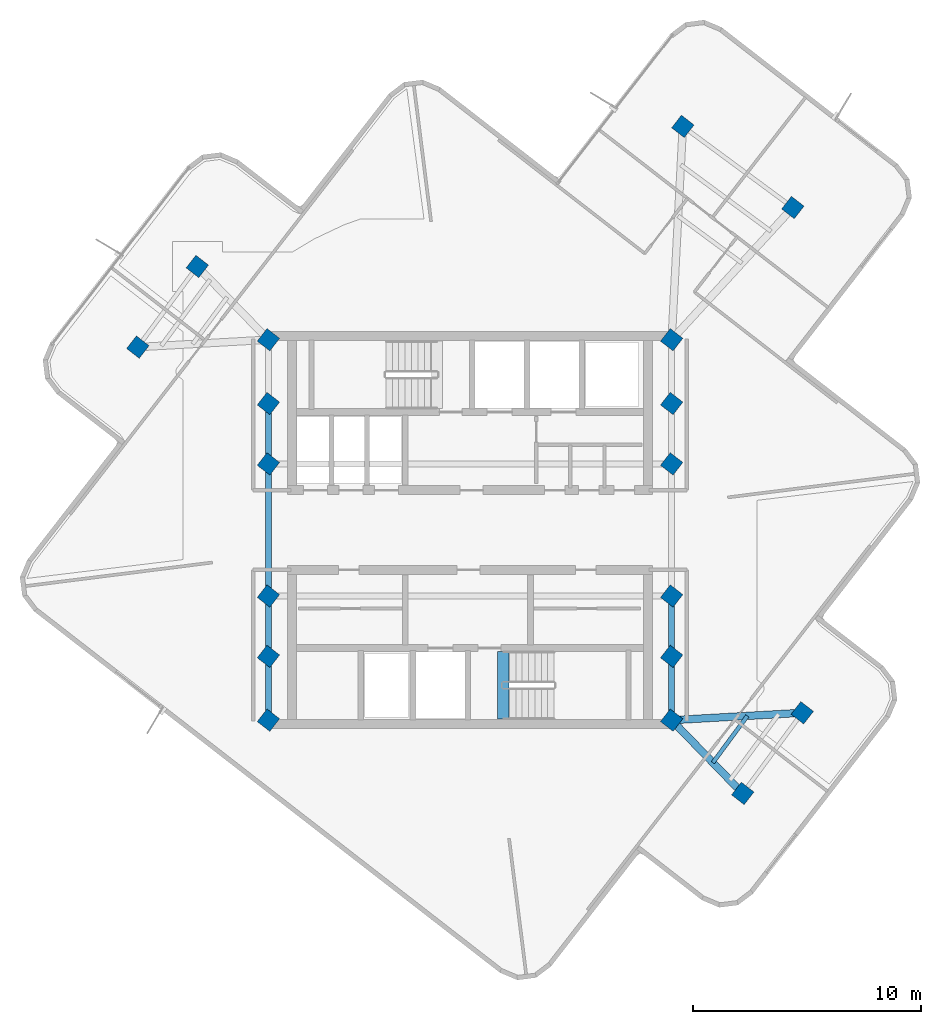
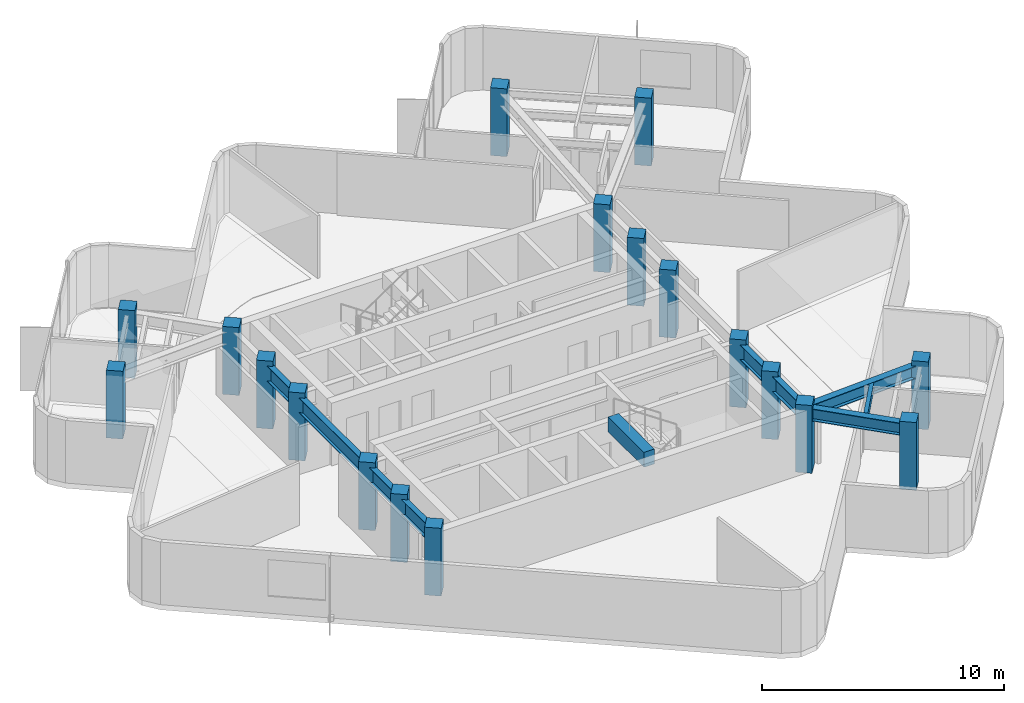
# One storey, part 1 of 10: 18 columns, 10 beams.
"""IFC4 building model written with IfcOpenShell, lengths in metres."""

from ifc_helpers import new_model, si_unit, direction, frame, origin, origin_2d, place, context, subcontext, project, spatial, rectangle, i_section, extrude, material, material_profile, profile_set, type_object, element, save


model = new_model("IFC4")

# Units and contexts
model_context = context("Model", 3, precision=1e-05, world=origin(), true_north=direction((0.0, 1.0)))
body_context = subcontext(model_context, "Body", "Model", "MODEL_VIEW")
ifc_project = project(units=[si_unit("LENGTHUNIT", "METRE"), si_unit("AREAUNIT", "SQUARE_METRE"), si_unit("VOLUMEUNIT", "CUBIC_METRE"), si_unit("PLANEANGLEUNIT", "RADIAN"), si_unit("MASSUNIT", "GRAM", prefix="KILO")], contexts=[model_context])

# Site, building, storey
site_placement = place(None, origin())
site = spatial("IfcSite", under=ifc_project, at=site_placement, CompositionType="ELEMENT")
building_placement = place(site_placement, origin())
building = spatial("IfcBuilding", under=site, at=building_placement, Name="Solmarez Civic Tower", CompositionType="ELEMENT")
storey_placement = place(building_placement, frame((0.0, 0.0, 261.179931640625)))
storey = spatial("IfcBuildingStorey", under=building, at=storey_placement, Name="L70", CompositionType="ELEMENT", Elevation=261.179931640625)

# Columns
ifc_material_1 = material(Name="Concrete C50/60", Category="concrete")
ifc_material_profile_1 = material_profile(ifc_material_1, rectangle(XDim=0.699951171875, YDim=0.699951171875, at=origin_2d()), Name="RC700X700")
ifc_profile_set_1 = profile_set([ifc_material_profile_1], Name="Concrete C50/60")
column_type = type_object("IfcColumnType", Name="COL-RC700", PredefinedType="COLUMN", material=ifc_profile_set_1)
for number, where, z_axis, x_axis, name in (
    (1, (-8.85009765625, -5.550048828125, 0.0), (0.0, 0.0, 1.0), (0.612907053653, 0.790155012376, 0.0), "L70 Structural Column HC1"),
    (2, (-8.85009765625, -2.89990234375, 0.0), (0.0, 0.0, 1.0), (0.612907053653, 0.790155012376, 0.0), "L70 Structural Column HC2"),
    (3, (-8.85009765625, 2.89990234375, 0.0), (0.0, 0.0, 1.0), (0.612907053653, 0.790155012376, 0.0), "L70 Structural Column HC3"),
    (4, (-8.85009765625, 5.550048828125, 0.0), (0.0, 0.0, 1.0), (0.612907053653, 0.790155012376, 0.0), "L70 Structural Column HC4"),
    (5, (8.85009765625, -5.550048828125, 0.0), (0.0, 0.0, 1.0), (0.612907053653, 0.790155012376, 0.0), "L70 Structural Column HC5"),
    (6, (8.85009765625, -2.89990234375, 0.0), (0.0, 0.0, 1.0), (0.612907053653, 0.790155012376, 0.0), "L70 Structural Column HC6"),
    (7, (8.85009765625, 2.89990234375, 0.0), (0.0, 0.0, 1.0), (0.612907053653, 0.790155012376, 0.0), "L70 Structural Column HC7"),
    (8, (8.85009765625, 5.550048828125, 0.0), (0.0, 0.0, 1.0), (0.612907053653, 0.790155012376, 0.0), "L70 Structural Column HC8"),
    (9, (-8.85009765625, 8.35009765625, 0.0), (0.0, 0.0, 1.0), (0.612907053653, 0.790155012376, 0.0), "L70 Structural Column HC9"),
    (10, (8.85009765625, -8.35009765625, 0.0), (0.0, 0.0, 1.0), (0.612907053653, 0.790155012376, 0.0), "L70 Structural Column HC10"),
    (11, (8.85009765625, 8.35009765625, 0.0), (0.0, 0.0, 1.0), (0.612907053653, 0.790155012376, 0.0), "L70 Structural Column HC11"),
    (12, (-8.85009765625, -8.35009765625, 0.0), (0.0, 0.0, 1.0), (0.612907053653, 0.790155012376, 0.0), "L70 Structural Column HC12"),
    (13, (14.1689453125, 14.152099609375, 0.0), (0.0, 0.0, 1.0), (0.612907053653, 0.790155012376, 0.0), "L70 Structural Column EA11"),
    (14, (9.341064453125, 17.714111328125, 0.0), (0.0, 0.0, 1.0), (0.612907053653, 0.790155012376, 0.0), "L70 Structural Column EA12"),
    (15, (-11.970947265625, 11.56591796875, 0.0), (0.0, 0.0, 1.0), (0.612907053653, 0.790155012376, 0.0), "L70 Structural Column NA11"),
    (16, (-14.5830078125, 8.02587890625, 0.0), (0.0, 0.0, 1.0), (0.612907053653, 0.790155012376, 0.0), "L70 Structural Column NA12"),
    (17, (11.970947265625, -11.56591796875, 0.0), (0.0, 0.0, 1.0), (0.612907053653, 0.790155012376, 0.0), "L70 Structural Column SA11"),
    (18, (14.5830078125, -8.02587890625, 0.0), (0.0, 0.0, 1.0), (0.612907053653, 0.790155012376, 0.0), "L70 Structural Column SA12"),
):
    element("IfcColumn", number, at=place(storey_placement, frame(where, z_axis=z_axis, x_axis=x_axis)), inside=storey, type_object=column_type, Name=name, PredefinedType="COLUMN", context=body_context, shape_type="SweptSolid", body=[
        extrude(rectangle(XDim=0.699951171875, YDim=0.699951171875, at=origin_2d()), origin(), (0.0, 0.0, 1.0), 3.420166015625),
    ])

# Beams
ifc_material_2 = material(Name="Steel S355", Category="steel")
ifc_material_profile_2 = material_profile(ifc_material_2, i_section(OverallWidth=0.178955078125, OverallDepth=0.409912109375, WebThickness=0.0087890625, FlangeThickness=0.014404296875, at=origin_2d()), Name="W16X45")
ifc_profile_set_2 = profile_set([ifc_material_profile_2], Name="Steel S355")
beam_type_1 = type_object("IfcBeamType", Name="BM-JS-W16X45", PredefinedType="JOIST", material=ifc_profile_set_2)
beam_1_placement = place(storey_placement, frame((10.659912109375, -10.215087890625, 2.955078125), z_axis=(0.593812477683, 0.804603468392, 0.0), x_axis=(-0.804603468392, 0.593812477683, 0.0)))
element("IfcBeam", 19, at=beam_1_placement, inside=storey, type_object=beam_type_1, Name="L70 Secondary Floor Joist JS-L70-SA-M11", PredefinedType="JOIST", context=body_context, shape_type="SweptSolid", body=[
    extrude(i_section(OverallWidth=0.178955078125, OverallDepth=0.409912109375, WebThickness=0.0087890625, FlangeThickness=0.014404296875, at=origin_2d()), origin(), (0.0, 0.0, 1.0), 2.551513671875),
])
ifc_material_profile_3 = material_profile(ifc_material_1, rectangle(XDim=0.5, YDim=0.75, at=origin_2d()), Name="RC500X750")
ifc_profile_set_3 = profile_set([ifc_material_profile_3], Name="Concrete C50/60")
beam_type_2 = type_object("IfcBeamType", Name="BM-PR-RC500X750", PredefinedType="BEAM", material=ifc_profile_set_3)
beam_2_placement = place(storey_placement, frame((1.449951171875, -8.300048828125, 3.052978515625), z_axis=(0.0, 1.0, 0.0), x_axis=(-1.0, 0.0, 0.0)))
element("IfcBeam", 20, at=beam_2_placement, inside=storey, type_object=beam_type_2, Name="L70 South Stair Threshold Beam", PredefinedType="BEAM", context=body_context, shape_type="SweptSolid", body=[
    extrude(rectangle(XDim=0.5, YDim=0.75, at=origin_2d()), origin(), (0.0, 0.0, 1.0), 2.9599609375),
])
ifc_material_profile_4 = material_profile(ifc_material_2, i_section(OverallWidth=0.327880859375, OverallDepth=0.6220703125, WebThickness=0.015380859375, FlangeThickness=0.0244140625, at=origin_2d()), Name="W24X131")
ifc_profile_set_4 = profile_set([ifc_material_profile_4], Name="Steel S355")
beam_type_3 = type_object("IfcBeamType", Name="BM-PR-W24X131", PredefinedType="BEAM", material=ifc_profile_set_4)
beam_3_placement = place(storey_placement, frame((8.85009765625, -8.35009765625, 2.84912109375), z_axis=(0.696430820305, -0.717623935309, 0.0), x_axis=(0.717623935309, 0.696430820305, 0.0)))
element("IfcBeam", 21, at=beam_3_placement, inside=storey, type_object=beam_type_3, Name="L70 Primary Floor Beam BM-L70-SA-R1A", PredefinedType="BEAM", context=body_context, shape_type="SweptSolid", body=[
    extrude(i_section(OverallWidth=0.327880859375, OverallDepth=0.6220703125, WebThickness=0.015380859375, FlangeThickness=0.0244140625, at=origin_2d()), origin(), (0.0, 0.0, 1.0), 4.481201171875),
])
beam_4_placement = place(storey_placement, frame((8.85009765625, -8.35009765625, 2.84912109375), z_axis=(0.998404650863, 0.056463732917, 0.0), x_axis=(-0.056463732917, 0.998404650863, 0.0)))
element("IfcBeam", 22, at=beam_4_placement, inside=storey, type_object=beam_type_3, Name="L70 Primary Floor Beam BM-L70-SA-R1B", PredefinedType="BEAM", context=body_context, shape_type="SweptSolid", body=[
    extrude(i_section(OverallWidth=0.327880859375, OverallDepth=0.6220703125, WebThickness=0.015380859375, FlangeThickness=0.0244140625, at=origin_2d()), origin(), (0.0, 0.0, 1.0), 5.7421875),
])
ifc_material_profile_5 = material_profile(ifc_material_2, i_section(OverallWidth=0.26708984375, OverallDepth=0.761962890625, WebThickness=0.014404296875, FlangeThickness=0.021484375, at=origin_2d()), Name="W30X116")
ifc_profile_set_5 = profile_set([ifc_material_profile_5], Name="Steel S355")
beam_type_4 = type_object("IfcBeamType", Name="BM-PR-W30X116", PredefinedType="BEAM", material=ifc_profile_set_5)
beam_5_placement = place(storey_placement, frame((-8.85009765625, -8.35009765625, 2.779052734375), z_axis=(0.0, 1.0, 0.0), x_axis=(-1.0, 0.0, 0.0)))
element("IfcBeam", 23, at=beam_5_placement, inside=storey, type_object=beam_type_4, Name="L70 Primary Floor Beam BM-L70-HC12-HC1", PredefinedType="BEAM", context=body_context, shape_type="SweptSolid", body=[
    extrude(i_section(OverallWidth=0.26708984375, OverallDepth=0.761962890625, WebThickness=0.014404296875, FlangeThickness=0.021484375, at=origin_2d()), origin(), (0.0, 0.0, 1.0), 2.800048828125),
])
beam_6_placement = place(storey_placement, frame((-8.85009765625, -5.550048828125, 2.779052734375), z_axis=(0.0, 1.0, 0.0), x_axis=(-1.0, 0.0, 0.0)))
element("IfcBeam", 24, at=beam_6_placement, inside=storey, type_object=beam_type_4, Name="L70 Primary Floor Beam BM-L70-HC1-HC2", PredefinedType="BEAM", context=body_context, shape_type="SweptSolid", body=[
    extrude(i_section(OverallWidth=0.26708984375, OverallDepth=0.761962890625, WebThickness=0.014404296875, FlangeThickness=0.021484375, at=origin_2d()), origin(), (0.0, 0.0, 1.0), 2.650146484375),
])
beam_7_placement = place(storey_placement, frame((-8.85009765625, -2.89990234375, 2.779052734375), z_axis=(0.0, 1.0, 0.0), x_axis=(-1.0, 0.0, 0.0)))
element("IfcBeam", 25, at=beam_7_placement, inside=storey, type_object=beam_type_4, Name="L70 Primary Floor Beam BM-L70-HC2-HC3", PredefinedType="BEAM", context=body_context, shape_type="SweptSolid", body=[
    extrude(i_section(OverallWidth=0.26708984375, OverallDepth=0.761962890625, WebThickness=0.014404296875, FlangeThickness=0.021484375, at=origin_2d()), origin(), (0.0, 0.0, 1.0), 5.7998046875),
])
beam_8_placement = place(storey_placement, frame((-8.85009765625, 2.89990234375, 2.779052734375), z_axis=(0.0, 1.0, 0.0), x_axis=(-1.0, 0.0, 0.0)))
element("IfcBeam", 26, at=beam_8_placement, inside=storey, type_object=beam_type_4, Name="L70 Primary Floor Beam BM-L70-HC3-HC4", PredefinedType="BEAM", context=body_context, shape_type="SweptSolid", body=[
    extrude(i_section(OverallWidth=0.26708984375, OverallDepth=0.761962890625, WebThickness=0.014404296875, FlangeThickness=0.021484375, at=origin_2d()), origin(), (0.0, 0.0, 1.0), 2.650146484375),
])
beam_9_placement = place(storey_placement, frame((8.85009765625, -8.35009765625, 2.779052734375), z_axis=(0.0, 1.0, 0.0), x_axis=(-1.0, 0.0, 0.0)))
element("IfcBeam", 27, at=beam_9_placement, inside=storey, type_object=beam_type_4, Name="L70 Primary Floor Beam BM-L70-HC10-HC5", PredefinedType="BEAM", context=body_context, shape_type="SweptSolid", body=[
    extrude(i_section(OverallWidth=0.26708984375, OverallDepth=0.761962890625, WebThickness=0.014404296875, FlangeThickness=0.021484375, at=origin_2d()), origin(), (0.0, 0.0, 1.0), 2.800048828125),
])
beam_10_placement = place(storey_placement, frame((8.85009765625, -5.550048828125, 2.779052734375), z_axis=(0.0, 1.0, 0.0), x_axis=(-1.0, 0.0, 0.0)))
element("IfcBeam", 28, at=beam_10_placement, inside=storey, type_object=beam_type_4, Name="L70 Primary Floor Beam BM-L70-HC5-HC6", PredefinedType="BEAM", context=body_context, shape_type="SweptSolid", body=[
    extrude(i_section(OverallWidth=0.26708984375, OverallDepth=0.761962890625, WebThickness=0.014404296875, FlangeThickness=0.021484375, at=origin_2d()), origin(), (0.0, 0.0, 1.0), 2.650146484375),
])

save(model, "model.ifc")
